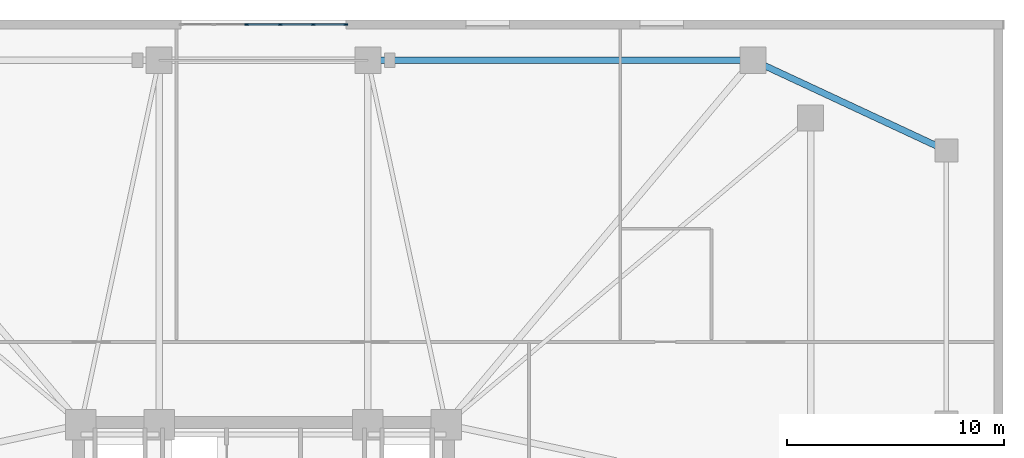
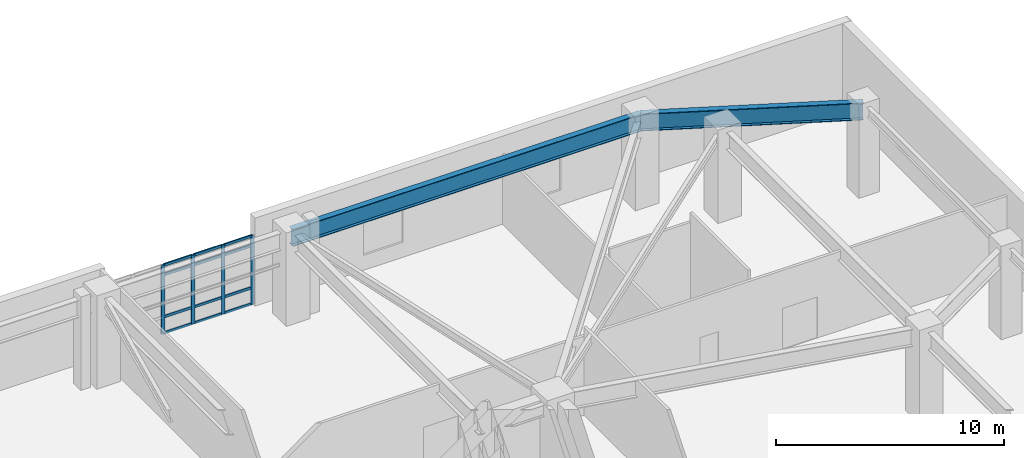
# One storey, part 8 of 20: 16 members, 2 beams, 1 element without a shape of its own.
"""IFC4 building model written with IfcOpenShell, lengths in metres."""

from ifc_helpers import new_model, si_unit, direction, frame, origin, origin_2d, place, context, subcontext, project, spatial, rectangle, i_section, extrude, material, layer, layer_set, material_profile, profile_set, type_object, element, aggregate, save


model = new_model("IFC4")

# Units and contexts
model_context = context("Model", 3, precision=1e-05, world=origin(), true_north=direction((0.0, 1.0)))
body_context = subcontext(model_context, "Body", "Model", "MODEL_VIEW")
ifc_project = project(units=[si_unit("LENGTHUNIT", "METRE"), si_unit("AREAUNIT", "SQUARE_METRE"), si_unit("VOLUMEUNIT", "CUBIC_METRE"), si_unit("PLANEANGLEUNIT", "RADIAN"), si_unit("MASSUNIT", "GRAM", prefix="KILO")], contexts=[model_context])

# Site, building, storey
site_placement = place(None, origin())
site = spatial("IfcSite", under=ifc_project, at=site_placement, CompositionType="ELEMENT")
building_placement = place(site_placement, origin())
building = spatial("IfcBuilding", under=site, at=building_placement, Name="Cairnveth Concourse Tower", CompositionType="ELEMENT")
storey_placement = place(building_placement, frame((0.0, 0.0, 5.0)))
storey = spatial("IfcBuildingStorey", under=building, at=storey_placement, Name="L01", CompositionType="ELEMENT", Elevation=5.0)

# Curtain wall, members
ifc_material_1 = material(Name="Architectural Bronze Anodised Aluminium 6063-T6", Category="aluminium")
ifc_layer = layer(ifc_material_1, 0.360107421875)
ifc_layer_set = layer_set([ifc_layer], Name="Architectural Bronze Anodised Aluminium 6063-T6")
curtain_wall_type = type_object("IfcCurtainWallType", Name="CONCOURSE GALLERIA PORTAL CURTAIN WALL", PredefinedType="USERDEFINED", material=ifc_layer_set)
curtain_wall_placement = place(storey_placement, origin())
curtain_wall = element("IfcCurtainWall", 1, at=curtain_wall_placement, inside=storey, type_object=curtain_wall_type, Name="Curtain Wall CW-L01-N1", ObjectType="UNITISED FACADE", PredefinedType="USERDEFINED")
ifc_material_profile_1 = material_profile(ifc_material_1, rectangle(XDim=0.06494140625, YDim=0.179931640625, at=origin_2d()), Name="AL-MUL-65x180")
ifc_profile_set_1 = profile_set([ifc_material_profile_1], Name="Architectural Bronze Anodised Aluminium 6063-T6")
member_type_1 = type_object("IfcMemberType", Name="BRONZE CURTAIN WALL MULLION AL-MUL-65x180", PredefinedType="MULLION", material=ifc_profile_set_1)
member_1_placement = place(storey_placement, frame((51.237060546875, 65.7900390625, 0.0), z_axis=(0.0, 0.0, 1.0), x_axis=(0.0, 1.0, 0.0)))
member_1 = element("IfcMember", 2, at=member_1_placement, type_object=member_type_1, Name="CWS1 mullion 3", PredefinedType="MULLION", context=body_context, shape_type="SweptSolid", body=[
    extrude(rectangle(XDim=0.06494140625, YDim=0.179931640625, at=origin_2d()), origin(), (0.0, 0.0, 1.0), 3.696044921875),
])
member_2_placement = place(storey_placement, frame((52.762939453125, 65.7900390625, 0.0), z_axis=(0.0, 0.0, 1.0), x_axis=(0.0, 1.0, 0.0)))
member_2 = element("IfcMember", 3, at=member_2_placement, type_object=member_type_1, Name="CWS1 mullion 4", PredefinedType="MULLION", context=body_context, shape_type="SweptSolid", body=[
    extrude(rectangle(XDim=0.06494140625, YDim=0.179931640625, at=origin_2d()), origin(), (0.0, 0.0, 1.0), 3.696044921875),
])
member_3_placement = place(storey_placement, frame((54.2890625, 65.7900390625, 0.0), z_axis=(0.0, 0.0, 1.0), x_axis=(0.0, 1.0, 0.0)))
member_3 = element("IfcMember", 4, at=member_3_placement, type_object=member_type_1, Name="CWS1 mullion 5", PredefinedType="MULLION", context=body_context, shape_type="SweptSolid", body=[
    extrude(rectangle(XDim=0.06494140625, YDim=0.179931640625, at=origin_2d()), origin(), (0.0, 0.0, 1.0), 3.696044921875),
])
member_4_placement = place(storey_placement, frame((55.782470703125, 65.7900390625, 0.0), z_axis=(0.0, 0.0, 1.0), x_axis=(0.0, 1.0, 0.0)))
member_4 = element("IfcMember", 5, at=member_4_placement, type_object=member_type_1, Name="CWS1 mullion 6", PredefinedType="MULLION", context=body_context, shape_type="SweptSolid", body=[
    extrude(rectangle(XDim=0.06494140625, YDim=0.179931640625, at=origin_2d()), origin(), (0.0, 0.0, 1.0), 3.696044921875),
])
ifc_material_profile_2 = material_profile(ifc_material_1, rectangle(XDim=0.06494140625, YDim=0.139892578125, at=origin_2d()), Name="AL-TRN-65x140")
ifc_profile_set_2 = profile_set([ifc_material_profile_2], Name="Architectural Bronze Anodised Aluminium 6063-T6")
member_type_2 = type_object("IfcMemberType", Name="BRONZE CURTAIN WALL TRANSOM AL-TRN-65x140", PredefinedType="USERDEFINED", material=ifc_profile_set_2)
member_5_placement = place(storey_placement, frame((51.26953125, 65.7900390625, 0.032470703125), z_axis=(1.0, 0.0, 0.0), x_axis=(0.0, 1.0, 0.0)))
member_5 = element("IfcMember", 6, at=member_5_placement, type_object=member_type_2, Name="CWS1 transom 3.1", ObjectType="TRANSOM", PredefinedType="USERDEFINED", context=body_context, shape_type="SweptSolid", body=[
    extrude(rectangle(XDim=0.06494140625, YDim=0.139892578125, at=origin_2d()), origin(), (0.0, 0.0, 1.0), 1.4609375),
])
member_6_placement = place(storey_placement, frame((51.26953125, 65.7900390625, 0.89990234375), z_axis=(1.0, 0.0, 0.0), x_axis=(0.0, 1.0, 0.0)))
member_6 = element("IfcMember", 7, at=member_6_placement, type_object=member_type_2, Name="CWS1 transom 3.2", ObjectType="TRANSOM", PredefinedType="USERDEFINED", context=body_context, shape_type="SweptSolid", body=[
    extrude(rectangle(XDim=0.06494140625, YDim=0.139892578125, at=origin_2d()), origin(), (0.0, 0.0, 1.0), 1.4609375),
])
member_7_placement = place(storey_placement, frame((51.26953125, 65.7900390625, 3.14599609375), z_axis=(1.0, 0.0, 0.0), x_axis=(0.0, 1.0, 0.0)))
member_7 = element("IfcMember", 8, at=member_7_placement, type_object=member_type_2, Name="CWS1 transom 3.3", ObjectType="TRANSOM", PredefinedType="USERDEFINED", context=body_context, shape_type="SweptSolid", body=[
    extrude(rectangle(XDim=0.06494140625, YDim=0.139892578125, at=origin_2d()), origin(), (0.0, 0.0, 1.0), 1.4609375),
])
member_8_placement = place(storey_placement, frame((51.26953125, 65.7900390625, 3.66357421875), z_axis=(1.0, 0.0, 0.0), x_axis=(0.0, 1.0, 0.0)))
member_8 = element("IfcMember", 9, at=member_8_placement, type_object=member_type_2, Name="CWS1 transom 3.4", ObjectType="TRANSOM", PredefinedType="USERDEFINED", context=body_context, shape_type="SweptSolid", body=[
    extrude(rectangle(XDim=0.06494140625, YDim=0.139892578125, at=origin_2d()), origin(), (0.0, 0.0, 1.0), 1.4609375),
])
member_9_placement = place(storey_placement, frame((52.79541015625, 65.7900390625, 0.032470703125), z_axis=(1.0, 0.0, 0.0), x_axis=(0.0, 1.0, 0.0)))
member_9 = element("IfcMember", 10, at=member_9_placement, type_object=member_type_2, Name="CWS1 transom 4.1", ObjectType="TRANSOM", PredefinedType="USERDEFINED", context=body_context, shape_type="SweptSolid", body=[
    extrude(rectangle(XDim=0.06494140625, YDim=0.139892578125, at=origin_2d()), origin(), (0.0, 0.0, 1.0), 1.461181640625),
])
member_10_placement = place(storey_placement, frame((52.79541015625, 65.7900390625, 0.89990234375), z_axis=(1.0, 0.0, 0.0), x_axis=(0.0, 1.0, 0.0)))
member_10 = element("IfcMember", 11, at=member_10_placement, type_object=member_type_2, Name="CWS1 transom 4.2", ObjectType="TRANSOM", PredefinedType="USERDEFINED", context=body_context, shape_type="SweptSolid", body=[
    extrude(rectangle(XDim=0.06494140625, YDim=0.139892578125, at=origin_2d()), origin(), (0.0, 0.0, 1.0), 1.461181640625),
])
member_11_placement = place(storey_placement, frame((52.79541015625, 65.7900390625, 3.14599609375), z_axis=(1.0, 0.0, 0.0), x_axis=(0.0, 1.0, 0.0)))
member_11 = element("IfcMember", 12, at=member_11_placement, type_object=member_type_2, Name="CWS1 transom 4.3", ObjectType="TRANSOM", PredefinedType="USERDEFINED", context=body_context, shape_type="SweptSolid", body=[
    extrude(rectangle(XDim=0.06494140625, YDim=0.139892578125, at=origin_2d()), origin(), (0.0, 0.0, 1.0), 1.461181640625),
])
member_12_placement = place(storey_placement, frame((52.79541015625, 65.7900390625, 3.66357421875), z_axis=(1.0, 0.0, 0.0), x_axis=(0.0, 1.0, 0.0)))
member_12 = element("IfcMember", 13, at=member_12_placement, type_object=member_type_2, Name="CWS1 transom 4.4", ObjectType="TRANSOM", PredefinedType="USERDEFINED", context=body_context, shape_type="SweptSolid", body=[
    extrude(rectangle(XDim=0.06494140625, YDim=0.139892578125, at=origin_2d()), origin(), (0.0, 0.0, 1.0), 1.461181640625),
])
member_13_placement = place(storey_placement, frame((54.321533203125, 65.7900390625, 0.032470703125), z_axis=(1.0, 0.0, 0.0), x_axis=(0.0, 1.0, 0.0)))
member_13 = element("IfcMember", 14, at=member_13_placement, type_object=member_type_2, Name="CWS1 transom 5.1", ObjectType="TRANSOM", PredefinedType="USERDEFINED", context=body_context, shape_type="SweptSolid", body=[
    extrude(rectangle(XDim=0.06494140625, YDim=0.139892578125, at=origin_2d()), origin(), (0.0, 0.0, 1.0), 1.428466796875),
])
member_14_placement = place(storey_placement, frame((54.321533203125, 65.7900390625, 0.89990234375), z_axis=(1.0, 0.0, 0.0), x_axis=(0.0, 1.0, 0.0)))
member_14 = element("IfcMember", 15, at=member_14_placement, type_object=member_type_2, Name="CWS1 transom 5.2", ObjectType="TRANSOM", PredefinedType="USERDEFINED", context=body_context, shape_type="SweptSolid", body=[
    extrude(rectangle(XDim=0.06494140625, YDim=0.139892578125, at=origin_2d()), origin(), (0.0, 0.0, 1.0), 1.428466796875),
])
member_15_placement = place(storey_placement, frame((54.321533203125, 65.7900390625, 3.14599609375), z_axis=(1.0, 0.0, 0.0), x_axis=(0.0, 1.0, 0.0)))
member_15 = element("IfcMember", 16, at=member_15_placement, type_object=member_type_2, Name="CWS1 transom 5.3", ObjectType="TRANSOM", PredefinedType="USERDEFINED", context=body_context, shape_type="SweptSolid", body=[
    extrude(rectangle(XDim=0.06494140625, YDim=0.139892578125, at=origin_2d()), origin(), (0.0, 0.0, 1.0), 1.428466796875),
])
member_16_placement = place(storey_placement, frame((54.321533203125, 65.7900390625, 3.66357421875), z_axis=(1.0, 0.0, 0.0), x_axis=(0.0, 1.0, 0.0)))
member_16 = element("IfcMember", 17, at=member_16_placement, type_object=member_type_2, Name="CWS1 transom 5.4", ObjectType="TRANSOM", PredefinedType="USERDEFINED", context=body_context, shape_type="SweptSolid", body=[
    extrude(rectangle(XDim=0.06494140625, YDim=0.139892578125, at=origin_2d()), origin(), (0.0, 0.0, 1.0), 1.428466796875),
])
aggregate(curtain_wall, [member_1, member_2, member_3, member_4, member_5, member_6, member_7, member_8, member_9, member_10, member_11, member_12, member_13, member_14, member_15, member_16])

# Beams
ifc_material_2 = material(Name="Steel Grade 350", Category="steel")
ifc_material_profile_3 = material_profile(ifc_material_2, i_section(OverallWidth=0.300048828125, OverallDepth=0.924072265625, WebThickness=0.013916015625, FlangeThickness=0.031982421875, at=origin_2d()), Name="900WB257")
ifc_profile_set_3 = profile_set([ifc_material_profile_3], Name="Steel Grade 350")
beam_type = type_object("IfcBeamType", Name="PODIUM PRIMARY GIRDER 900WB257", PredefinedType="BEAM", material=ifc_profile_set_3)
beam_1_placement = place(storey_placement, frame((74.5, 64.14990234375, 4.258056640625), z_axis=(0.906315208572, -0.422602345842, 0.0), x_axis=(0.422602345842, 0.906315208572, 0.0)))
element("IfcBeam", 18, at=beam_1_placement, inside=storey, type_object=beam_type, Name="Beam PG-E-N L01", PredefinedType="BEAM", context=body_context, shape_type="SweptSolid", body=[
    extrude(i_section(OverallWidth=0.300048828125, OverallDepth=0.924072265625, WebThickness=0.013916015625, FlangeThickness=0.031982421875, at=origin_2d()), origin(), (0.0, 0.0, 1.0), 9.81982421875),
])
beam_2_placement = place(storey_placement, frame((56.800048828125, 64.14990234375, 4.258056640625), z_axis=(1.0, 0.0, 0.0), x_axis=(0.0, 1.0, 0.0)))
element("IfcBeam", 19, at=beam_2_placement, inside=storey, type_object=beam_type, Name="Beam PR-N3 L01", PredefinedType="BEAM", context=body_context, shape_type="SweptSolid", body=[
    extrude(i_section(OverallWidth=0.300048828125, OverallDepth=0.924072265625, WebThickness=0.013916015625, FlangeThickness=0.031982421875, at=origin_2d()), origin(), (0.0, 0.0, 1.0), 17.699951171875),
])

save(model, "model.ifc")
